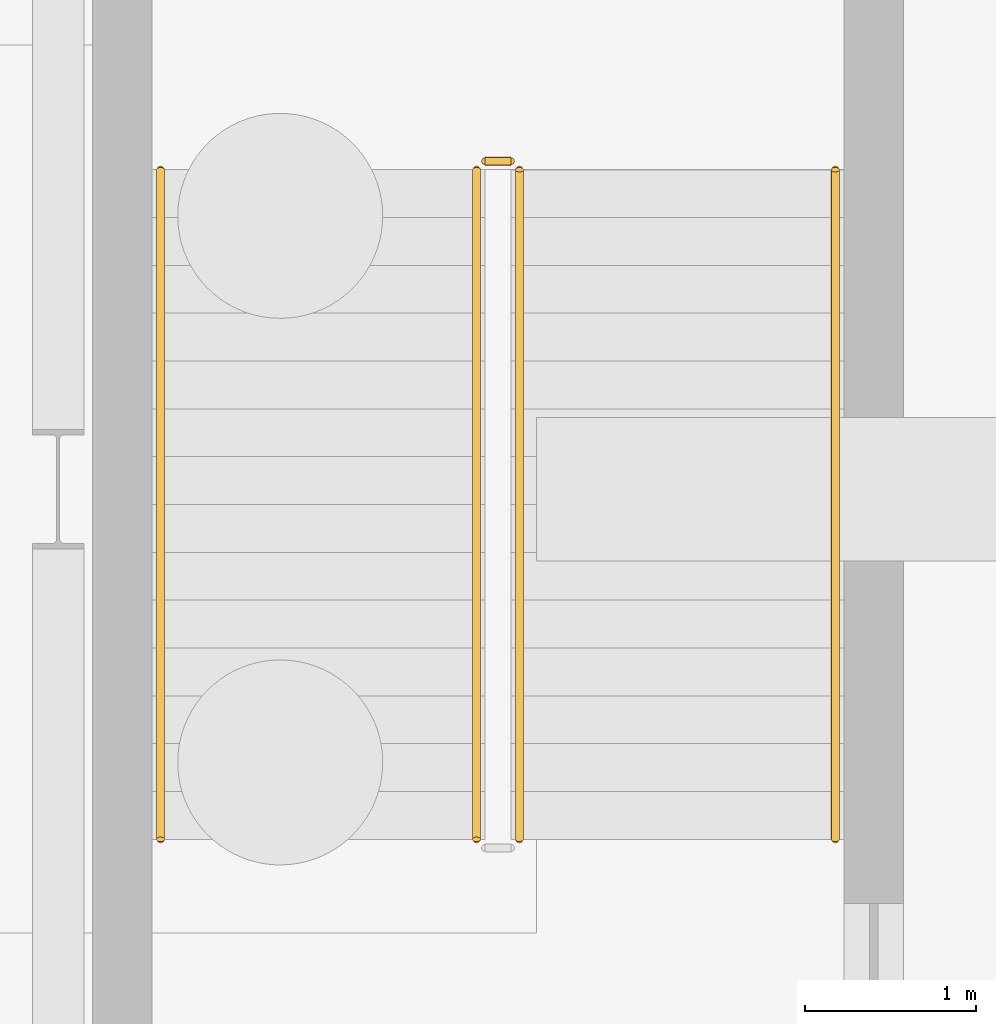
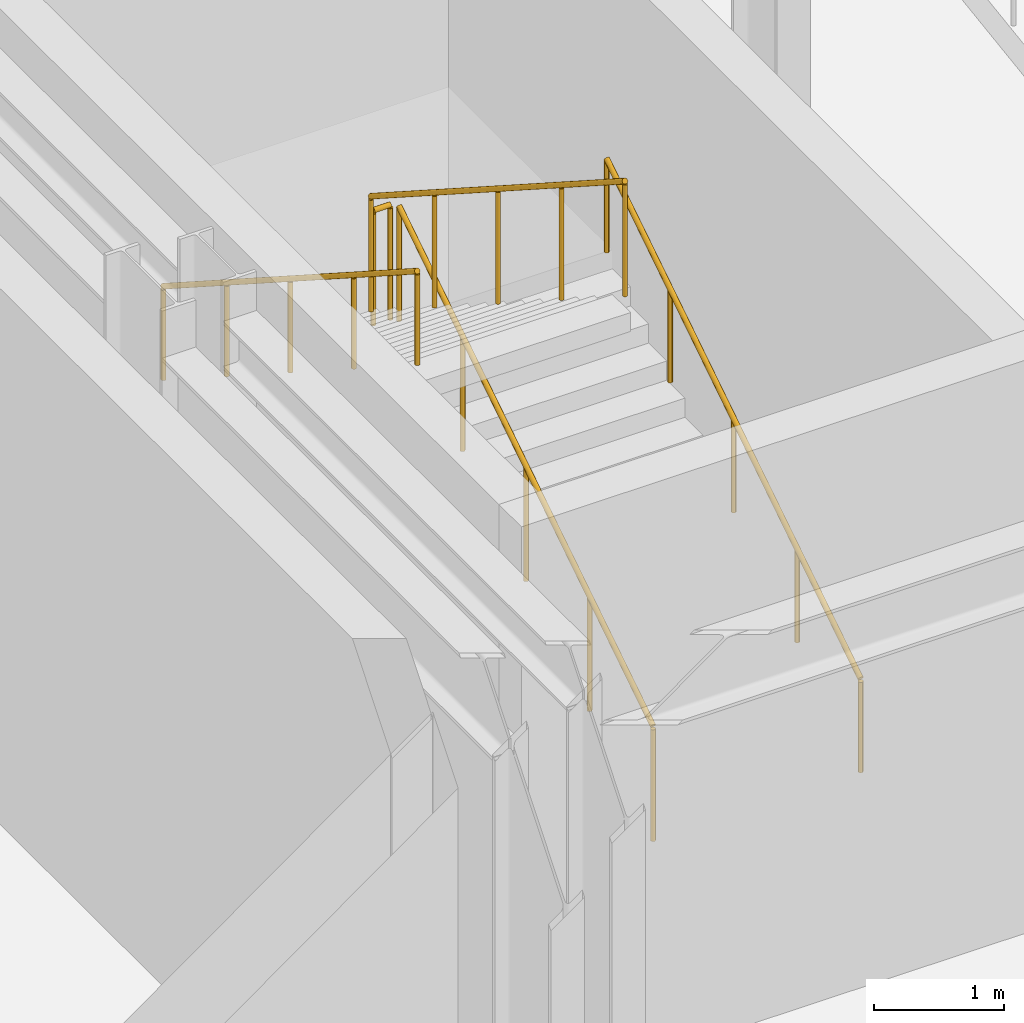
# One storey, part 63 of 65: 5 railings.
"""IFC4 building model written with IfcOpenShell, lengths in metres."""

import ifcopenshell
import ifcopenshell.guid

model = None  # the IFC model being written
_history = None  # IfcOwnerHistory: only IFC2X3 demands one
_inside = {}  # id of a spatial element -> (the spatial element, [elements in it])
_under = {}  # id of a project, library or spatial element -> (it, [spatial elements below it])
_declared = {}  # id of a project -> (the project, [libraries it declares])
_typed = {}  # id of a type object -> (the type object, [elements of that type])
_made_of = {}  # id of a material, layer set ... -> (it, [elements and type objects made of it])


def new_model(schema):
    """Start an empty IFC model of exactly this schema.

    Asked for "IFC4X3", IfcOpenShell would pick the latest addendum, in which some entities
    have other attributes; the version numbers below select the first issue.
    IFC2X3 requires an IfcOwnerHistory on every rooted entity: one is made here for all.
    """
    global model, _history
    if schema == "IFC4X3":
        model = ifcopenshell.file(schema_version=(4, 3, 0, 0))
    else:
        model = ifcopenshell.file(schema=schema)
    _inside.clear()
    _under.clear()
    _declared.clear()
    _typed.clear()
    _made_of.clear()
    _history = None
    if model.schema == "IFC2X3":
        org = make("IfcOrganization", Name="unknown")
        user = make(
            "IfcPersonAndOrganization",
            ThePerson=make("IfcPerson", FamilyName="unknown"),
            TheOrganization=org,
        )
        app = make(
            "IfcApplication",
            ApplicationDeveloper=org,
            Version="unknown",
            ApplicationFullName="unknown",
            ApplicationIdentifier="unknown",
        )
        _history = make(
            "IfcOwnerHistory",
            OwningUser=user,
            OwningApplication=app,
            ChangeAction="ADDED",
            CreationDate=0,
        )
    return model


def make(cls, **values):
    """One entity of the class cls with the attributes given. An attribute that is None is left unset."""
    return model.create_entity(
        cls, **{name: value for name, value in values.items() if value is not None}
    )


def rooted(cls, **values):
    """An entity with a GlobalId (a new one), such as an element, a storey or a relation."""
    return make(cls, GlobalId=ifcopenshell.guid.new(), OwnerHistory=_history, **values)


def si_unit(unit_type, name, prefix=None):
    """IfcSIUnit, for example si_unit("LENGTHUNIT", "METRE", prefix="MILLI")."""
    return make("IfcSIUnit", UnitType=unit_type, Prefix=prefix, Name=name)


def assignment(units):
    """IfcUnitAssignment: the units of a project."""
    return None if units is None else make("IfcUnitAssignment", Units=units)


def point(xyz):
    """IfcCartesianPoint."""
    return None if xyz is None else make("IfcCartesianPoint", Coordinates=xyz)


def direction(xyz):
    """IfcDirection."""
    return None if xyz is None else make("IfcDirection", DirectionRatios=xyz)


def frame(location, z_axis=None, x_axis=None):
    """IfcAxis2Placement3D, a coordinate frame: its origin and axes. An axis left out is left unset."""
    return make(
        "IfcAxis2Placement3D",
        Location=point(location),
        Axis=direction(z_axis),
        RefDirection=direction(x_axis),
    )


def frame_2d(location, x_axis=None):
    """IfcAxis2Placement2D, a coordinate frame in the plane: its origin and x axis."""
    return make(
        "IfcAxis2Placement2D", Location=point(location), RefDirection=direction(x_axis)
    )


def origin():
    """The frame at (0, 0, 0) with its axes left unset."""
    return frame((0.0, 0.0, 0.0))


def origin_2d():
    """The frame at (0, 0) in the plane with its x axis left unset."""
    return frame_2d((0.0, 0.0))


def place(relative_to, where):
    """IfcLocalPlacement: puts the frame where relative to a parent placement (None: the world)."""
    return make(
        "IfcLocalPlacement", PlacementRelTo=relative_to, RelativePlacement=where
    )


def context(
    kind, dimensions, precision=None, world=None, true_north=None, identifier=None
):
    """IfcGeometricRepresentationContext, for example the 3D "Model" context."""
    return make(
        "IfcGeometricRepresentationContext",
        ContextIdentifier=identifier,
        ContextType=kind,
        CoordinateSpaceDimension=dimensions,
        Precision=precision,
        WorldCoordinateSystem=world,
        TrueNorth=true_north,
    )


def subcontext(parent, identifier, kind, view, scale=None):
    """IfcGeometricRepresentationSubContext, for example "Body" below "Model"."""
    return make(
        "IfcGeometricRepresentationSubContext",
        ContextIdentifier=identifier,
        ContextType=kind,
        ParentContext=parent,
        TargetScale=scale,
        TargetView=view,
    )


def project(units=None, contexts=None):
    """IfcProject with its units and contexts."""
    return rooted(
        "IfcProject",
        Name="project",
        RepresentationContexts=contexts,
        UnitsInContext=assignment(units),
    )


def spatial(cls, under=None, at=None, **own):
    """A site, building, storey or space (cls), placed at a placement, below another one or the project."""
    s = rooted(cls, ObjectPlacement=at, **own)
    if under is not None:
        _under.setdefault(under.id(), (under, []))[1].append(s)
    return s


def profile(cls, at=None, kind="AREA", **sizes):
    """A parametric profile (cls). Its sizes go by their IFC names, for example OverallWidth=200.0."""
    return make(cls, ProfileType=kind, Position=at, **sizes)


def circle(**sizes):
    """IfcCircleProfileDef."""
    return profile("IfcCircleProfileDef", **sizes)


def extrude(swept, where, along, depth):
    """IfcExtrudedAreaSolid: the profile swept, set in the frame where, extruded along a direction by depth."""
    return make(
        "IfcExtrudedAreaSolid",
        SweptArea=swept,
        Position=where,
        ExtrudedDirection=direction(along),
        Depth=depth,
    )


def shape(context_of_items, identifier, shape_type, items):
    """IfcShapeRepresentation: the items that make up one representation, for example the "Body"."""
    return make(
        "IfcShapeRepresentation",
        ContextOfItems=context_of_items,
        RepresentationIdentifier=identifier,
        RepresentationType=shape_type,
        Items=items,
    )


def material(Name=None, Category=None):
    """IfcMaterial."""
    return make("IfcMaterial", Name=Name, Category=Category)


def made_of(thing, what):
    """Note that an element or type object is made of a material, layer set ...; save() writes the relation."""
    if what is not None:
        _made_of.setdefault(what.id(), (what, []))[1].append(thing)
    return thing


def type_object(cls, material=None, **own):
    """A type object (cls), such as IfcWallType, which elements share."""
    return made_of(rooted(cls, **own), material)


def element(
    cls,
    number,
    at=None,
    inside=None,
    cuts=None,
    type_object=None,
    material=None,
    context=None,
    identifier="Body",
    shape_type=None,
    held_by="IfcProductDefinitionShape",
    body=None,
    shapes=None,
    **own,
):
    """One element of the class cls, such as IfcWall. Its Tag is "e" and its number.

    at: its placement. inside: the storey or other place that contains it. cuts: it is an
    opening in that element (IfcRelVoidsElement). A single representation is given by context,
    identifier, shape_type and body (its items); several are given by shapes. held_by: the class
    of the entity that holds the representations. save() writes the other relations.
    """
    e = rooted(cls, Tag="e%d" % number, ObjectPlacement=at, **own)
    if body is not None:
        shapes = [shape(context, identifier, shape_type, body)]
    if shapes is not None:
        e.Representation = make(held_by, Representations=shapes)
    if inside is not None:
        _inside.setdefault(inside.id(), (inside, []))[1].append(e)
    if cuts is not None:
        rooted(
            "IfcRelVoidsElement", RelatingBuildingElement=cuts, RelatedOpeningElement=e
        )
    if type_object is not None:
        _typed.setdefault(type_object.id(), (type_object, []))[1].append(e)
    return made_of(e, material)


def aggregate(whole, parts):
    """IfcRelAggregates: a whole, such as a stair, and the parts it consists of."""
    return rooted("IfcRelAggregates", RelatingObject=whole, RelatedObjects=parts)


def save(model, path):
    """Write the relations noted so far, then the file.

    IfcRelAggregates (storeys below a building ...), IfcRelContainedInSpatialStructure (elements
    in a storey), IfcRelDefinesByType, IfcRelAssociatesMaterial and IfcRelDeclares: one each for
    every whole, place, type object, material and project.
    """
    for whole, parts in _under.values():
        aggregate(whole, parts)
    for where, things in _inside.values():
        rooted(
            "IfcRelContainedInSpatialStructure",
            RelatedElements=things,
            RelatingStructure=where,
        )
    for kind, things in _typed.values():
        rooted("IfcRelDefinesByType", RelatedObjects=things, RelatingType=kind)
    for what, things in _made_of.values():
        rooted("IfcRelAssociatesMaterial", RelatedObjects=things, RelatingMaterial=what)
    for by, libraries in _declared.values():
        rooted("IfcRelDeclares", RelatingContext=by, RelatedDefinitions=libraries)
    model.write(path)


model = new_model("IFC4")

# Units and contexts
model_context = context("Model", 3, precision=1e-05, world=origin(), true_north=direction((0.0, 1.0)))
body_context = subcontext(model_context, "Body", "Model", "MODEL_VIEW")
ifc_project = project(units=[si_unit("LENGTHUNIT", "METRE"), si_unit("AREAUNIT", "SQUARE_METRE"), si_unit("VOLUMEUNIT", "CUBIC_METRE"), si_unit("PLANEANGLEUNIT", "RADIAN"), si_unit("MASSUNIT", "GRAM", prefix="KILO")], contexts=[model_context])

# Site, building, storey
site_placement = place(None, origin())
site = spatial("IfcSite", under=ifc_project, at=site_placement, CompositionType="ELEMENT")
building_placement = place(site_placement, origin())
building = spatial("IfcBuilding", under=site, at=building_placement, Name="Kaldris Quays Convention Centre", CompositionType="ELEMENT")
storey_placement = place(building_placement, frame((0.0, 0.0, -5.39990234375)))
storey = spatial("IfcBuildingStorey", under=building, at=storey_placement, Name="B1", CompositionType="ELEMENT", Elevation=-5.39990234375)

# Railings
ifc_material_1 = material(Name="Steel S355J2", Category="steel")
railing_type_1 = type_object("IfcRailingType", Name="INTERIOR GUARDRAIL GR01", PredefinedType="GUARDRAIL", material=ifc_material_1)
railing_1_placement = place(storey_placement, frame((149.300048828125, 77.949951171875, 0.179931640625)))
element("IfcRailing", 1, at=railing_1_placement, inside=storey, type_object=railing_type_1, Name="B1 ST14 Stair Guardrail 1", PredefinedType="GUARDRAIL", context=body_context, shape_type="SweptSolid", body=[
    extrude(circle(Radius=0.02392578125, at=origin_2d()), frame((0.0, 0.0, 1.076171875), z_axis=(0.0, 0.841186985886, 0.540744352514), x_axis=(-1.0, 0.0, 0.0)), (0.0, 0.0, 1.0), 4.660400390625),
    extrude(circle(Radius=0.02099609375, at=origin_2d()), origin(), (0.0, 0.0, 1.0), 1.052001953125),
    extrude(circle(Radius=0.02099609375, at=origin_2d()), frame((0.0, 0.97998046875, 0.6298828125)), (0.0, 0.0, 1.0), 1.052001953125),
    extrude(circle(Radius=0.02099609375, at=origin_2d()), frame((0.0, 1.9599609375, 1.260009765625)), (0.0, 0.0, 1.0), 1.052001953125),
    extrude(circle(Radius=0.02099609375, at=origin_2d()), frame((0.0, 2.940185546875, 1.89013671875)), (0.0, 0.0, 1.0), 1.052001953125),
    extrude(circle(Radius=0.02099609375, at=origin_2d()), frame((0.0, 3.920166015625, 2.52001953125)), (0.0, 0.0, 1.0), 1.052001953125),
])
railing_2_placement = place(storey_placement, frame((149.25, 81.919921875, 2.699951171875)))
element("IfcRailing", 2, at=railing_2_placement, inside=storey, type_object=railing_type_1, Name="B1 ST14 Stair Guardrail 2", PredefinedType="GUARDRAIL", context=body_context, shape_type="SweptSolid", body=[
    extrude(circle(Radius=0.02392578125, at=origin_2d()), frame((0.0, 0.0, 1.076171875), z_axis=(-1.0, 0.0, 0.0), x_axis=(0.0, -1.0, 0.0)), (0.0, 0.0, 1.0), 0.14990234375),
    extrude(circle(Radius=0.02099609375, at=origin_2d()), origin(), (0.0, 0.0, 1.0), 1.052001953125),
    extrude(circle(Radius=0.02099609375, at=origin_2d()), frame((-0.14990234375, 0.0, 0.0)), (0.0, 0.0, 1.0), 1.052001953125),
])
railing_3_placement = place(storey_placement, frame((149.050048828125, 81.8701171875, 2.8798828125)))
element("IfcRailing", 3, at=railing_3_placement, inside=storey, type_object=railing_type_1, Name="B1 ST14 Stair Guardrail 3", PredefinedType="GUARDRAIL", context=body_context, shape_type="SweptSolid", body=[
    extrude(circle(Radius=0.02392578125, at=origin_2d()), frame((0.0, 0.0, 1.076171875), z_axis=(0.0, -0.841186985886, 0.540744352514), x_axis=(1.0, 0.0, 0.0)), (0.0, 0.0, 1.0), 4.660400390625),
    extrude(circle(Radius=0.02099609375, at=origin_2d()), origin(), (0.0, 0.0, 1.0), 1.052001953125),
    extrude(circle(Radius=0.02099609375, at=origin_2d()), frame((0.0, -0.97998046875, 0.6298828125)), (0.0, 0.0, 1.0), 1.052001953125),
    extrude(circle(Radius=0.02099609375, at=origin_2d()), frame((0.0, -1.9599609375, 1.260009765625)), (0.0, 0.0, 1.0), 1.052001953125),
    extrude(circle(Radius=0.02099609375, at=origin_2d()), frame((0.0, -2.940185546875, 1.89013671875)), (0.0, 0.0, 1.0), 1.052001953125),
    extrude(circle(Radius=0.02099609375, at=origin_2d()), frame((0.0, -3.920166015625, 2.52001953125)), (0.0, 0.0, 1.0), 1.052001953125),
])
ifc_material_2 = material(Name="Stainless steel 1.4301", Category="steel")
railing_type_2 = type_object("IfcRailingType", Name="STAIR HANDRAIL HR01", PredefinedType="HANDRAIL", material=ifc_material_2)
railing_4_placement = place(storey_placement, frame((151.14990234375, 77.949951171875, 0.179931640625)))
element("IfcRailing", 4, at=railing_4_placement, inside=storey, type_object=railing_type_2, Name="B1 ST14 Flight Handrail 1", PredefinedType="HANDRAIL", context=body_context, shape_type="SweptSolid", body=[
    extrude(circle(Radius=0.02392578125, at=origin_2d()), frame((0.0, 0.0, 0.8759765625), z_axis=(0.0, 0.841186985886, 0.540744352514), x_axis=(-1.0, 0.0, 0.0)), (0.0, 0.0, 1.0), 4.660400390625),
    extrude(circle(Radius=0.02099609375, at=origin_2d()), origin(), (0.0, 0.0, 1.0), 0.851806640625),
    extrude(circle(Radius=0.02099609375, at=origin_2d()), frame((0.0, 0.97998046875, 0.6298828125)), (0.0, 0.0, 1.0), 0.851806640625),
    extrude(circle(Radius=0.02099609375, at=origin_2d()), frame((0.0, 1.9599609375, 1.260009765625)), (0.0, 0.0, 1.0), 0.851806640625),
    extrude(circle(Radius=0.02099609375, at=origin_2d()), frame((0.0, 2.940185546875, 1.89013671875)), (0.0, 0.0, 1.0), 0.851806640625),
    extrude(circle(Radius=0.02099609375, at=origin_2d()), frame((0.0, 3.920166015625, 2.52001953125)), (0.0, 0.0, 1.0), 0.851806640625),
])
railing_5_placement = place(storey_placement, frame((147.199951171875, 81.8701171875, 2.8798828125)))
element("IfcRailing", 5, at=railing_5_placement, inside=storey, type_object=railing_type_2, Name="B1 ST14 Flight Handrail 2", PredefinedType="HANDRAIL", context=body_context, shape_type="SweptSolid", body=[
    extrude(circle(Radius=0.02392578125, at=origin_2d()), frame((0.0, 0.0, 0.8759765625), z_axis=(0.0, -0.841186985886, 0.540744352514), x_axis=(1.0, 0.0, 0.0)), (0.0, 0.0, 1.0), 4.660400390625),
    extrude(circle(Radius=0.02099609375, at=origin_2d()), origin(), (0.0, 0.0, 1.0), 0.851806640625),
    extrude(circle(Radius=0.02099609375, at=origin_2d()), frame((0.0, -0.97998046875, 0.6298828125)), (0.0, 0.0, 1.0), 0.851806640625),
    extrude(circle(Radius=0.02099609375, at=origin_2d()), frame((0.0, -1.9599609375, 1.260009765625)), (0.0, 0.0, 1.0), 0.851806640625),
    extrude(circle(Radius=0.02099609375, at=origin_2d()), frame((0.0, -2.940185546875, 1.89013671875)), (0.0, 0.0, 1.0), 0.851806640625),
    extrude(circle(Radius=0.02099609375, at=origin_2d()), frame((0.0, -3.920166015625, 2.52001953125)), (0.0, 0.0, 1.0), 0.851806640625),
])

save(model, "model.ifc")
